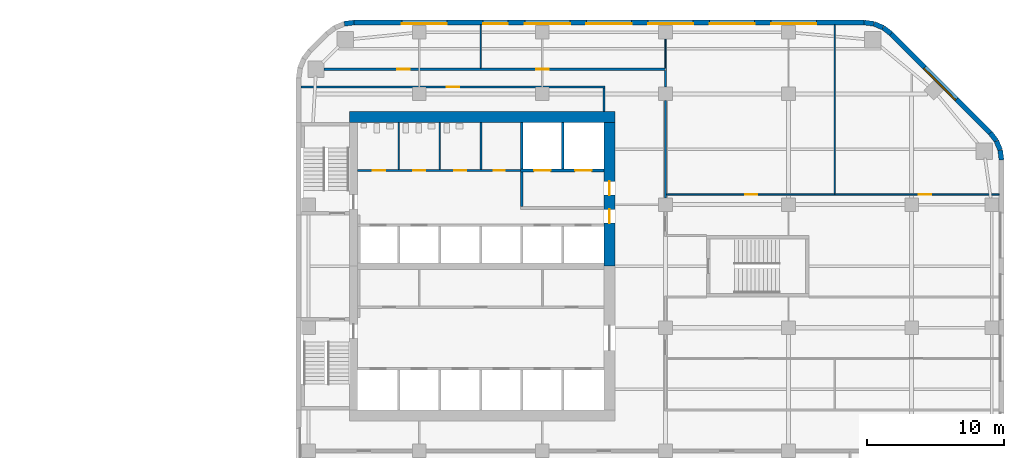
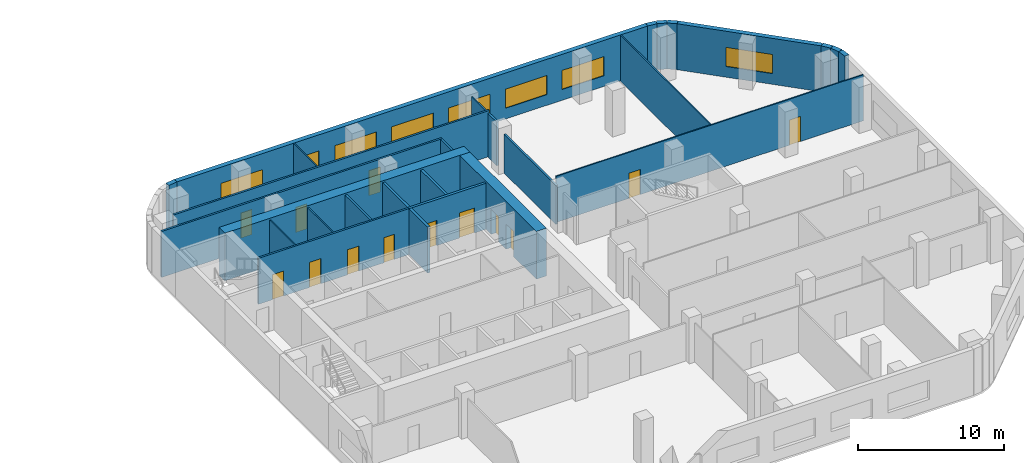
# One storey, part 10 of 14: 28 walls, 13 doors, 8 windows, 21 openings.
"""IFC4 building model written with IfcOpenShell, lengths in metres."""

from ifc_helpers import new_model, si_unit, direction, frame, frame_2d, origin, place, context, subcontext, project, spatial, rectangle, extrude, material, layer, layer_set, type_object, element, fill, save


model = new_model("IFC4")

# Units and contexts
model_context = context("Model", 3, precision=1e-05, world=origin(), true_north=direction((0.0, 1.0)))
body_context = subcontext(model_context, "Body", "Model", "MODEL_VIEW")
ifc_project = project(units=[si_unit("LENGTHUNIT", "METRE"), si_unit("AREAUNIT", "SQUARE_METRE"), si_unit("VOLUMEUNIT", "CUBIC_METRE"), si_unit("PLANEANGLEUNIT", "RADIAN"), si_unit("MASSUNIT", "GRAM", prefix="KILO")], contexts=[model_context])

# Site, building, storey
site_placement = place(None, origin())
site = spatial("IfcSite", under=ifc_project, at=site_placement, CompositionType="ELEMENT")
building_placement = place(site_placement, origin())
building = spatial("IfcBuilding", under=site, at=building_placement, Name="Cinnabar Reach Civic Tower", CompositionType="ELEMENT")
storey_placement = place(building_placement, frame((0.0, 0.0, 116.0)))
storey = spatial("IfcBuildingStorey", under=building, at=storey_placement, Name="L27", CompositionType="ELEMENT", Elevation=116.0)

# Walls
ifc_material_1 = material(Name="Facing brick with insulated backing", Category="masonry")
ifc_layer_1 = layer(ifc_material_1, 0.36)
ifc_layer_set_1 = layer_set([ifc_layer_1], Name="Brick corner wall")
wall_type_1 = type_object("IfcWallType", Name="Brick corner wall", PredefinedType="STANDARD", material=ifc_layer_set_1)
for number, where, z_axis, x_axis, name in (
    (1, (51.567, 39.2686, 0.0), (0.0, 0.0, 1.0), (-0.13055608231, 0.99144092581, 0.0), "Brick corner wall"),
    (2, (51.4681, 39.9973, 0.0), (0.0, 0.0, 1.0), (-0.382702709855, 0.923871547278, 0.0), "Brick corner wall"),
):
    element("IfcWall", number, at=place(storey_placement, frame(where, z_axis=z_axis, x_axis=x_axis)), inside=storey, type_object=wall_type_1, Name=name, PredefinedType="STANDARD", context=body_context, shape_type="SweptSolid", body=[
        extrude(rectangle(XDim=0.7131, YDim=0.36, at=frame_2d((0.3565, 0.0))), origin(), (0.0, 0.0, 1.0), 3.85),
    ])
for number, where, z_axis, x_axis, name in (
    (3, (51.184, 40.6755, 0.0), (0.0, 0.0, 1.0), (-0.608802368033, 0.793321924995, 0.0), "Brick corner wall"),
    (4, (43.4913, 48.4998, 0.0), (0.0, 0.0, 1.0), (-0.793321924995, 0.608802368033, 0.0), "Brick corner wall"),
):
    element("IfcWall", number, at=place(storey_placement, frame(where, z_axis=z_axis, x_axis=x_axis)), inside=storey, type_object=wall_type_1, Name=name, PredefinedType="STANDARD", context=body_context, shape_type="SweptSolid", body=[
        extrude(rectangle(XDim=0.7132, YDim=0.36, at=frame_2d((0.3566, 0.0))), origin(), (0.0, 0.0, 1.0), 3.85),
    ])
for number, where, z_axis, x_axis, name in (
    (5, (42.9061, 48.9452, 0.0), (0.0, 0.0, 1.0), (-0.923871547278, 0.382702709855, 0.0), "Brick corner wall"),
    (6, (42.2256, 49.2239, 0.0), (0.0, 0.0, 1.0), (-0.99144092581, 0.13055608231, 0.0), "Brick corner wall"),
    (7, (4.2314, 49.317, 0.0), (0.0, 0.0, 1.0), (-0.99144092581, -0.13055608231, 0.0), "Brick corner wall"),
):
    element("IfcWall", number, at=place(storey_placement, frame(where, z_axis=z_axis, x_axis=x_axis)), inside=storey, type_object=wall_type_1, Name=name, PredefinedType="STANDARD", context=body_context, shape_type="SweptSolid", body=[
        extrude(rectangle(XDim=0.7131, YDim=0.36, at=frame_2d((0.3565, 0.0))), origin(), (0.0, 0.0, 1.0), 3.85),
    ])

# Wall, opening, window
ifc_layer_2 = layer(ifc_material_1, 0.36)
ifc_layer_set_2 = layer_set([ifc_layer_2], Name="Brick pier and spandrel wall")
wall_type_2 = type_object("IfcWallType", Name="Brick pier and spandrel wall", PredefinedType="STANDARD", material=ifc_layer_set_2)
wall_1_placement = place(storey_placement, frame((50.744, 41.2514, 0.0), z_axis=(0.0, 0.0, 1.0), x_axis=(-0.707106781187, 0.707106781187, 0.0)))
wall_1 = element("IfcWall", 8, at=wall_1_placement, inside=storey, type_object=wall_type_2, Name="Brick facade wall", PredefinedType="STANDARD", context=body_context, shape_type="SweptSolid", body=[
    extrude(rectangle(XDim=10.2426, YDim=0.36, at=frame_2d((5.1213, 0.0))), origin(), (0.0, 0.0, 1.0), 3.85),
])
opening_1_placement = place(wall_1_placement, frame((3.4713, 0.0, 0.9)))
opening_1 = element("IfcOpeningElement", 9, at=opening_1_placement, cuts=wall_1, Name="Opening W1579", PredefinedType="OPENING", context=body_context, shape_type="SweptSolid", body=[
    extrude(rectangle(XDim=3.3, YDim=1.6, at=frame_2d((1.65, 0.8))), frame((0.0, 0.19, 0.0), z_axis=(0.0, -1.0, 0.0), x_axis=(1.0, 0.0, 0.0)), (0.0, 0.0, 1.0), 0.38),
])
ifc_material_2 = material(Name="Clear double glazing in aluminium frame", Category="aluminium")
window_type_1 = type_object("IfcWindowType", Name="Deep-set window A", PartitioningType="SINGLE_PANEL", PredefinedType="WINDOW", material=ifc_material_2)
window_1_placement = place(opening_1_placement, origin())
window_1 = element("IfcWindow", 10, at=window_1_placement, inside=storey, type_object=window_type_1, Name="Window northeast face", OverallHeight=1.6, OverallWidth=3.3, PartitioningType="SINGLE_PANEL", PredefinedType="WINDOW", context=body_context, shape_type="SweptSolid", body=[
    extrude(rectangle(XDim=3.3, YDim=1.6, at=frame_2d((1.65, 0.8))), frame((0.0, 0.13, 0.0), z_axis=(0.0, -1.0, 0.0), x_axis=(1.0, 0.0, 0.0)), (0.0, 0.0, 1.0), 0.06),
])
fill(opening_1, window_1)

# Wall, openings, windows
wall_2_placement = place(storey_placement, frame((41.5074, 49.32, 0.0), z_axis=(0.0, 0.0, 1.0), x_axis=(-1.0, 0.0, 0.0)))
wall_2 = element("IfcWall", 11, at=wall_2_placement, inside=storey, type_object=wall_type_2, Name="Brick facade wall", PredefinedType="STANDARD", context=body_context, shape_type="SweptSolid", body=[
    extrude(rectangle(XDim=37.2648, YDim=0.36, at=frame_2d((18.6324, 0.0))), origin(), (0.0, 0.0, 1.0), 3.85),
])
opening_2_placement = place(wall_2_placement, frame((3.4824, 0.0, 0.9)))
opening_2 = element("IfcOpeningElement", 12, at=opening_2_placement, cuts=wall_2, Name="Opening W1580", PredefinedType="OPENING", context=body_context, shape_type="SweptSolid", body=[
    extrude(rectangle(XDim=3.3, YDim=1.6, at=frame_2d((1.65, 0.8))), frame((0.0, 0.19, 0.0), z_axis=(0.0, -1.0, 0.0), x_axis=(1.0, 0.0, 0.0)), (0.0, 0.0, 1.0), 0.38),
])
opening_3_placement = place(wall_2_placement, frame((7.9824, 0.0, 0.9)))
opening_3 = element("IfcOpeningElement", 13, at=opening_3_placement, cuts=wall_2, Name="Opening W1581", PredefinedType="OPENING", context=body_context, shape_type="SweptSolid", body=[
    extrude(rectangle(XDim=3.3, YDim=1.6, at=frame_2d((1.65, 0.8))), frame((0.0, 0.19, 0.0), z_axis=(0.0, -1.0, 0.0), x_axis=(1.0, 0.0, 0.0)), (0.0, 0.0, 1.0), 0.38),
])
opening_4_placement = place(wall_2_placement, frame((12.4824, 0.0, 0.9)))
opening_4 = element("IfcOpeningElement", 14, at=opening_4_placement, cuts=wall_2, Name="Opening W1582", PredefinedType="OPENING", context=body_context, shape_type="SweptSolid", body=[
    extrude(rectangle(XDim=3.3, YDim=1.6, at=frame_2d((1.65, 0.8))), frame((0.0, 0.19, 0.0), z_axis=(0.0, -1.0, 0.0), x_axis=(1.0, 0.0, 0.0)), (0.0, 0.0, 1.0), 0.38),
])
opening_5_placement = place(wall_2_placement, frame((16.9824, 0.0, 0.9)))
opening_5 = element("IfcOpeningElement", 15, at=opening_5_placement, cuts=wall_2, Name="Opening W1583", PredefinedType="OPENING", context=body_context, shape_type="SweptSolid", body=[
    extrude(rectangle(XDim=3.3, YDim=1.6, at=frame_2d((1.65, 0.8))), frame((0.0, 0.19, 0.0), z_axis=(0.0, -1.0, 0.0), x_axis=(1.0, 0.0, 0.0)), (0.0, 0.0, 1.0), 0.38),
])
opening_6_placement = place(wall_2_placement, frame((21.4824, 0.0, 0.9)))
opening_6 = element("IfcOpeningElement", 16, at=opening_6_placement, cuts=wall_2, Name="Opening W1584", PredefinedType="OPENING", context=body_context, shape_type="SweptSolid", body=[
    extrude(rectangle(XDim=3.3, YDim=1.6, at=frame_2d((1.65, 0.8))), frame((0.0, 0.19, 0.0), z_axis=(0.0, -1.0, 0.0), x_axis=(1.0, 0.0, 0.0)), (0.0, 0.0, 1.0), 0.38),
])
opening_7_placement = place(wall_2_placement, frame((26.0324, 0.0, 0.9)))
opening_7 = element("IfcOpeningElement", 17, at=opening_7_placement, cuts=wall_2, Name="Opening W1585", PredefinedType="OPENING", context=body_context, shape_type="SweptSolid", body=[
    extrude(rectangle(XDim=1.8, YDim=1.6, at=frame_2d((0.9, 0.8))), frame((0.0, 0.19, 0.0), z_axis=(0.0, -1.0, 0.0), x_axis=(1.0, 0.0, 0.0)), (0.0, 0.0, 1.0), 0.38),
])
opening_8_placement = place(wall_2_placement, frame((30.4824, 0.0, 0.9)))
opening_8 = element("IfcOpeningElement", 18, at=opening_8_placement, cuts=wall_2, Name="Opening W1586", PredefinedType="OPENING", context=body_context, shape_type="SweptSolid", body=[
    extrude(rectangle(XDim=3.3, YDim=1.6, at=frame_2d((1.65, 0.8))), frame((0.0, 0.19, 0.0), z_axis=(0.0, -1.0, 0.0), x_axis=(1.0, 0.0, 0.0)), (0.0, 0.0, 1.0), 0.38),
])
window_2_placement = place(opening_2_placement, origin())
window_2 = element("IfcWindow", 19, at=window_2_placement, inside=storey, type_object=window_type_1, Name="Window north face", OverallHeight=1.6, OverallWidth=3.3, PartitioningType="SINGLE_PANEL", PredefinedType="WINDOW", context=body_context, shape_type="SweptSolid", body=[
    extrude(rectangle(XDim=3.3, YDim=1.6, at=frame_2d((1.65, 0.8))), frame((0.0, 0.13, 0.0), z_axis=(0.0, -1.0, 0.0), x_axis=(1.0, 0.0, 0.0)), (0.0, 0.0, 1.0), 0.06),
])
fill(opening_2, window_2)
window_3_placement = place(opening_3_placement, origin())
window_3 = element("IfcWindow", 20, at=window_3_placement, inside=storey, type_object=window_type_1, Name="Window north face", OverallHeight=1.6, OverallWidth=3.3, PartitioningType="SINGLE_PANEL", PredefinedType="WINDOW", context=body_context, shape_type="SweptSolid", body=[
    extrude(rectangle(XDim=3.3, YDim=1.6, at=frame_2d((1.65, 0.8))), frame((0.0, 0.13, 0.0), z_axis=(0.0, -1.0, 0.0), x_axis=(1.0, 0.0, 0.0)), (0.0, 0.0, 1.0), 0.06),
])
fill(opening_3, window_3)
window_4_placement = place(opening_4_placement, origin())
window_4 = element("IfcWindow", 21, at=window_4_placement, inside=storey, type_object=window_type_1, Name="Window north face", OverallHeight=1.6, OverallWidth=3.3, PartitioningType="SINGLE_PANEL", PredefinedType="WINDOW", context=body_context, shape_type="SweptSolid", body=[
    extrude(rectangle(XDim=3.3, YDim=1.6, at=frame_2d((1.65, 0.8))), frame((0.0, 0.13, 0.0), z_axis=(0.0, -1.0, 0.0), x_axis=(1.0, 0.0, 0.0)), (0.0, 0.0, 1.0), 0.06),
])
fill(opening_4, window_4)
window_5_placement = place(opening_5_placement, origin())
window_5 = element("IfcWindow", 22, at=window_5_placement, inside=storey, type_object=window_type_1, Name="Window north face", OverallHeight=1.6, OverallWidth=3.3, PartitioningType="SINGLE_PANEL", PredefinedType="WINDOW", context=body_context, shape_type="SweptSolid", body=[
    extrude(rectangle(XDim=3.3, YDim=1.6, at=frame_2d((1.65, 0.8))), frame((0.0, 0.13, 0.0), z_axis=(0.0, -1.0, 0.0), x_axis=(1.0, 0.0, 0.0)), (0.0, 0.0, 1.0), 0.06),
])
fill(opening_5, window_5)
window_6_placement = place(opening_6_placement, origin())
window_6 = element("IfcWindow", 23, at=window_6_placement, inside=storey, type_object=window_type_1, Name="Window north face", OverallHeight=1.6, OverallWidth=3.3, PartitioningType="SINGLE_PANEL", PredefinedType="WINDOW", context=body_context, shape_type="SweptSolid", body=[
    extrude(rectangle(XDim=3.3, YDim=1.6, at=frame_2d((1.65, 0.8))), frame((0.0, 0.13, 0.0), z_axis=(0.0, -1.0, 0.0), x_axis=(1.0, 0.0, 0.0)), (0.0, 0.0, 1.0), 0.06),
])
fill(opening_6, window_6)
window_7_placement = place(opening_8_placement, origin())
window_7 = element("IfcWindow", 24, at=window_7_placement, inside=storey, type_object=window_type_1, Name="Window north face", OverallHeight=1.6, OverallWidth=3.3, PartitioningType="SINGLE_PANEL", PredefinedType="WINDOW", context=body_context, shape_type="SweptSolid", body=[
    extrude(rectangle(XDim=3.3, YDim=1.6, at=frame_2d((1.65, 0.8))), frame((0.0, 0.13, 0.0), z_axis=(0.0, -1.0, 0.0), x_axis=(1.0, 0.0, 0.0)), (0.0, 0.0, 1.0), 0.06),
])
fill(opening_8, window_7)
window_type_2 = type_object("IfcWindowType", Name="Deep-set window D", PartitioningType="SINGLE_PANEL", PredefinedType="WINDOW", material=ifc_material_2)
window_8_placement = place(opening_7_placement, origin())
window_8 = element("IfcWindow", 25, at=window_8_placement, inside=storey, type_object=window_type_2, Name="Window north face", OverallHeight=1.6, OverallWidth=1.8, PartitioningType="SINGLE_PANEL", PredefinedType="WINDOW", context=body_context, shape_type="SweptSolid", body=[
    extrude(rectangle(XDim=1.8, YDim=1.6, at=frame_2d((0.9, 0.8))), frame((0.0, 0.13, 0.0), z_axis=(0.0, -1.0, 0.0), x_axis=(1.0, 0.0, 0.0)), (0.0, 0.0, 1.0), 0.06),
])
fill(opening_7, window_8)

# Wall
ifc_material_3 = material(Name="Concrete C70", Category="concrete")
ifc_layer_3 = layer(ifc_material_3, 0.8)
ifc_layer_set_3 = layer_set([ifc_layer_3], Name="Core wall 800 EI 180")
wall_type_3 = type_object("IfcWallType", Name="Core wall 800 EI 180", PredefinedType="SOLIDWALL", material=ifc_layer_set_3)
wall_3_placement = place(storey_placement, frame((23.3, 42.4, 0.0), z_axis=(0.0, 0.0, 1.0), x_axis=(-1.0, 0.0, 0.0)))
element("IfcWall", 26, at=wall_3_placement, inside=storey, type_object=wall_type_3, Name="Core wall T1 L27 N", PredefinedType="SOLIDWALL", context=body_context, shape_type="SweptSolid", body=[
    extrude(rectangle(XDim=19.4, YDim=0.8, at=frame_2d((9.7, 0.0))), origin(), (0.0, 0.0, 1.0), 4.0),
])

# Wall, openings, doors
wall_4_placement = place(storey_placement, frame((22.9, 31.5, 0.0), z_axis=(0.0, 0.0, 1.0), x_axis=(0.0, 1.0, 0.0)))
wall_4 = element("IfcWall", 27, at=wall_4_placement, inside=storey, type_object=wall_type_3, Name="Core wall T1 L27 E2", PredefinedType="SOLIDWALL", context=body_context, shape_type="SweptSolid", body=[
    extrude(rectangle(XDim=10.5, YDim=0.8, at=frame_2d((5.25, 0.0))), origin(), (0.0, 0.0, 1.0), 4.0),
])
opening_9_placement = place(wall_4_placement, frame((3.15, 0.0, 0.0)))
opening_9 = element("IfcOpeningElement", 28, at=opening_9_placement, cuts=wall_4, Name="Opening D4102", PredefinedType="OPENING", context=body_context, shape_type="SweptSolid", body=[
    extrude(rectangle(XDim=1.0, YDim=2.1, at=frame_2d((0.5, 1.05))), frame((0.0, 0.41, 0.0), z_axis=(0.0, -1.0, 0.0), x_axis=(1.0, 0.0, 0.0)), (0.0, 0.0, 1.0), 0.82),
])
opening_10_placement = place(wall_4_placement, frame((5.2, 0.0, 0.0)))
opening_10 = element("IfcOpeningElement", 29, at=opening_10_placement, cuts=wall_4, Name="Opening D4103", PredefinedType="OPENING", context=body_context, shape_type="SweptSolid", body=[
    extrude(rectangle(XDim=1.0, YDim=2.1, at=frame_2d((0.5, 1.05))), frame((0.0, 0.41, 0.0), z_axis=(0.0, -1.0, 0.0), x_axis=(1.0, 0.0, 0.0)), (0.0, 0.0, 1.0), 0.82),
])
ifc_material_4 = material(Name="Timber door leaf in steel frame", Category="steel")
door_type_1 = type_object("IfcDoorType", Name="Firefighting lobby door 1000 x 2100 T1", OperationType="SINGLE_SWING_LEFT", PredefinedType="DOOR", material=ifc_material_4)
door_1_placement = place(opening_10_placement, origin())
door_1 = element("IfcDoor", 30, at=door_1_placement, inside=storey, type_object=door_type_1, Name="Door D4103", OperationType="SINGLE_SWING_RIGHT", OverallHeight=2.1, OverallWidth=1.0, PredefinedType="DOOR", context=body_context, shape_type="SweptSolid", body=[
    extrude(rectangle(XDim=1.0, YDim=2.1, at=frame_2d((0.5, 1.05))), frame((0.0, 0.025, 0.0), z_axis=(0.0, -1.0, 0.0), x_axis=(1.0, 0.0, 0.0)), (0.0, 0.0, 1.0), 0.05),
])
fill(opening_10, door_1)
door_type_2 = type_object("IfcDoorType", Name="Single swing door 1000 x 2100 T1", OperationType="SINGLE_SWING_LEFT", PredefinedType="DOOR", material=ifc_material_4)
door_2_placement = place(opening_9_placement, origin())
door_2 = element("IfcDoor", 31, at=door_2_placement, inside=storey, type_object=door_type_2, Name="Door D4102", OperationType="SINGLE_SWING_RIGHT", OverallHeight=2.1, OverallWidth=1.0, PredefinedType="DOOR", context=body_context, shape_type="SweptSolid", body=[
    extrude(rectangle(XDim=1.0, YDim=2.1, at=frame_2d((0.5, 1.05))), frame((0.0, 0.025, 0.0), z_axis=(0.0, -1.0, 0.0), x_axis=(1.0, 0.0, 0.0)), (0.0, 0.0, 1.0), 0.05),
])
fill(opening_9, door_2)

ifc_material_5 = material(Name="Gypsum board on steel studs, double layer", Category="steel")
ifc_layer_4 = layer(ifc_material_5, 0.15)
ifc_layer_set_4 = layer_set([ifc_layer_4], Name="Corridor wall 150 T1")
wall_type_4 = type_object("IfcWallType", Name="Corridor wall 150 T1", PredefinedType="PARTITIONING", material=ifc_layer_set_4)
wall_5_placement = place(storey_placement, frame((2.0531, 45.9, 0.0), z_axis=(0.0, 0.0, 1.0), x_axis=(1.0, 0.0, 0.0)))
wall_5 = element("IfcWall", 32, at=wall_5_placement, inside=storey, type_object=wall_type_4, Name="Corridor wall 25", PredefinedType="PARTITIONING", context=body_context, shape_type="SweptSolid", body=[
    extrude(rectangle(XDim=25.0219, YDim=0.15, at=frame_2d((12.5109, 0.0))), origin(), (0.0, 0.0, 1.0), 3.85),
])
opening_11_placement = place(wall_5_placement, frame((5.35, 0.0, 0.0)))
opening_11 = element("IfcOpeningElement", 33, at=opening_11_placement, cuts=wall_5, Name="Opening D4124", PredefinedType="OPENING", context=body_context, shape_type="SweptSolid", body=[
    extrude(rectangle(XDim=0.9, YDim=2.1, at=frame_2d((0.45, 1.05))), frame((0.0, 0.085, 0.0), z_axis=(0.0, -1.0, 0.0), x_axis=(1.0, 0.0, 0.0)), (0.0, 0.0, 1.0), 0.17),
])
opening_12_placement = place(wall_5_placement, frame((15.4969, 0.0, 0.0)))
opening_12 = element("IfcOpeningElement", 34, at=opening_12_placement, cuts=wall_5, Name="Opening D4125", PredefinedType="OPENING", context=body_context, shape_type="SweptSolid", body=[
    extrude(rectangle(XDim=0.9, YDim=2.1, at=frame_2d((0.45, 1.05))), frame((0.0, 0.085, 0.0), z_axis=(0.0, -1.0, 0.0), x_axis=(1.0, 0.0, 0.0)), (0.0, 0.0, 1.0), 0.17),
])
door_type_3 = type_object("IfcDoorType", Name="Single swing door 900 x 2100 corridor T1", OperationType="SINGLE_SWING_LEFT", PredefinedType="DOOR", material=ifc_material_4)
door_3_placement = place(opening_11_placement, origin())
door_3 = element("IfcDoor", 35, at=door_3_placement, inside=storey, type_object=door_type_3, Name="Door D4124", OperationType="SINGLE_SWING_LEFT", OverallHeight=2.1, OverallWidth=0.9, PredefinedType="DOOR", context=body_context, shape_type="SweptSolid", body=[
    extrude(rectangle(XDim=0.9, YDim=2.1, at=frame_2d((0.45, 1.05))), frame((0.0, 0.025, 0.0), z_axis=(0.0, -1.0, 0.0), x_axis=(1.0, 0.0, 0.0)), (0.0, 0.0, 1.0), 0.05),
])
fill(opening_11, door_3)
door_4_placement = place(opening_12_placement, origin())
door_4 = element("IfcDoor", 36, at=door_4_placement, inside=storey, type_object=door_type_3, Name="Door D4125", OperationType="SINGLE_SWING_RIGHT", OverallHeight=2.1, OverallWidth=0.9, PredefinedType="DOOR", context=body_context, shape_type="SweptSolid", body=[
    extrude(rectangle(XDim=0.9, YDim=2.1, at=frame_2d((0.45, 1.05))), frame((0.0, 0.025, 0.0), z_axis=(0.0, -1.0, 0.0), x_axis=(1.0, 0.0, 0.0)), (0.0, 0.0, 1.0), 0.05),
])
fill(opening_12, door_4)

# Wall, opening, door
wall_6_placement = place(storey_placement, frame((0.36, 44.6, 0.0), z_axis=(0.0, 0.0, 1.0), x_axis=(1.0, 0.0, 0.0)))
wall_6 = element("IfcWall", 37, at=wall_6_placement, inside=storey, type_object=wall_type_4, Name="Corridor wall 27", PredefinedType="PARTITIONING", context=body_context, shape_type="SweptSolid", body=[
    extrude(rectangle(XDim=22.215, YDim=0.15, at=frame_2d((11.1075, 0.0))), origin(), (0.0, 0.0, 1.0), 3.85),
])
opening_13_placement = place(wall_6_placement, frame((10.65, 0.0, 0.0)))
opening_13 = element("IfcOpeningElement", 38, at=opening_13_placement, cuts=wall_6, Name="Opening D5788", PredefinedType="OPENING", context=body_context, shape_type="SweptSolid", body=[
    extrude(rectangle(XDim=0.9, YDim=2.1, at=frame_2d((0.45, 1.05))), frame((0.0, 0.085, 0.0), z_axis=(0.0, -1.0, 0.0), x_axis=(1.0, 0.0, 0.0)), (0.0, 0.0, 1.0), 0.17),
])
door_5_placement = place(opening_13_placement, frame((0.9, 0.0, 0.0), z_axis=(0.0, 0.0, 1.0), x_axis=(-1.0, 0.0, 0.0)))
door_5 = element("IfcDoor", 39, at=door_5_placement, inside=storey, type_object=door_type_3, Name="Door D5788", OperationType="SINGLE_SWING_LEFT", OverallHeight=2.1, OverallWidth=0.9, PredefinedType="DOOR", context=body_context, shape_type="SweptSolid", body=[
    extrude(rectangle(XDim=0.9, YDim=2.1, at=frame_2d((0.45, 1.05))), frame((0.0, 0.025, 0.0), z_axis=(0.0, -1.0, 0.0), x_axis=(1.0, 0.0, 0.0)), (0.0, 0.0, 1.0), 0.05),
])
fill(opening_13, door_5)

# Walls
wall_7_placement = place(storey_placement, frame((27.0, 36.5, 0.0), z_axis=(0.0, 0.0, 1.0), x_axis=(0.0, 1.0, 0.0)))
element("IfcWall", 40, at=wall_7_placement, inside=storey, type_object=wall_type_4, Name="Corridor wall 30", PredefinedType="PARTITIONING", context=body_context, shape_type="SweptSolid", body=[
    extrude(rectangle(XDim=7.1, YDim=0.15, at=frame_2d((3.55, 0.0))), origin(), (0.0, 0.0, 1.0), 3.256),
])
wall_8_placement = place(storey_placement, frame((27.0, 44.6, 0.0), z_axis=(0.0, 0.0, 1.0), x_axis=(0.0, 1.0, 0.0)))
element("IfcWall", 41, at=wall_8_placement, inside=storey, type_object=wall_type_4, Name="Corridor wall 31", PredefinedType="PARTITIONING", context=body_context, shape_type="SweptSolid", body=[
    extrude(rectangle(XDim=1.225, YDim=0.15, at=frame_2d((0.6125, 0.0))), origin(), (0.0, 0.0, 1.0), 3.652),
])

# Wall, openings, doors
wall_9_placement = place(storey_placement, frame((4.5, 38.5, 0.0), z_axis=(0.0, 0.0, 1.0), x_axis=(1.0, 0.0, 0.0)))
wall_9 = element("IfcWall", 42, at=wall_9_placement, inside=storey, type_object=wall_type_4, Name="Corridor wall 32", PredefinedType="PARTITIONING", context=body_context, shape_type="SweptSolid", body=[
    extrude(rectangle(XDim=11.9, YDim=0.15, at=frame_2d((5.95, 0.0))), origin(), (0.0, 0.0, 1.0), 3.85),
])
opening_14_placement = place(wall_9_placement, frame((1.1, 0.0, 0.0)))
opening_14 = element("IfcOpeningElement", 43, at=opening_14_placement, cuts=wall_9, Name="Opening D4108", PredefinedType="OPENING", context=body_context, shape_type="SweptSolid", body=[
    extrude(rectangle(XDim=0.9, YDim=2.1, at=frame_2d((0.45, 1.05))), frame((0.0, 0.085, 0.0), z_axis=(0.0, -1.0, 0.0), x_axis=(1.0, 0.0, 0.0)), (0.0, 0.0, 1.0), 0.17),
])
opening_15_placement = place(wall_9_placement, frame((4.05, 0.0, 0.0)))
opening_15 = element("IfcOpeningElement", 44, at=opening_15_placement, cuts=wall_9, Name="Opening D4109", PredefinedType="OPENING", context=body_context, shape_type="SweptSolid", body=[
    extrude(rectangle(XDim=0.9, YDim=2.1, at=frame_2d((0.45, 1.05))), frame((0.0, 0.085, 0.0), z_axis=(0.0, -1.0, 0.0), x_axis=(1.0, 0.0, 0.0)), (0.0, 0.0, 1.0), 0.17),
])
opening_16_placement = place(wall_9_placement, frame((7.05, 0.0, 0.0)))
opening_16 = element("IfcOpeningElement", 45, at=opening_16_placement, cuts=wall_9, Name="Opening D4110", PredefinedType="OPENING", context=body_context, shape_type="SweptSolid", body=[
    extrude(rectangle(XDim=0.9, YDim=2.1, at=frame_2d((0.45, 1.05))), frame((0.0, 0.085, 0.0), z_axis=(0.0, -1.0, 0.0), x_axis=(1.0, 0.0, 0.0)), (0.0, 0.0, 1.0), 0.17),
])
opening_17_placement = place(wall_9_placement, frame((9.95, 0.0, 0.0)))
opening_17 = element("IfcOpeningElement", 46, at=opening_17_placement, cuts=wall_9, Name="Opening D4111", PredefinedType="OPENING", context=body_context, shape_type="SweptSolid", body=[
    extrude(rectangle(XDim=0.8, YDim=2.1, at=frame_2d((0.4, 1.05))), frame((0.0, 0.085, 0.0), z_axis=(0.0, -1.0, 0.0), x_axis=(1.0, 0.0, 0.0)), (0.0, 0.0, 1.0), 0.17),
])
door_type_4 = type_object("IfcDoorType", Name="Riser access door 800 x 2100 T1", OperationType="SINGLE_SWING_LEFT", PredefinedType="DOOR", material=ifc_material_4)
door_6_placement = place(opening_17_placement, origin())
door_6 = element("IfcDoor", 47, at=door_6_placement, inside=storey, type_object=door_type_4, Name="Door D4111", OperationType="SINGLE_SWING_RIGHT", OverallHeight=2.1, OverallWidth=0.8, PredefinedType="DOOR", context=body_context, shape_type="SweptSolid", body=[
    extrude(rectangle(XDim=0.8, YDim=2.1, at=frame_2d((0.4, 1.05))), frame((0.0, 0.025, 0.0), z_axis=(0.0, -1.0, 0.0), x_axis=(1.0, 0.0, 0.0)), (0.0, 0.0, 1.0), 0.05),
])
fill(opening_17, door_6)
door_7_placement = place(opening_14_placement, origin())
door_7 = element("IfcDoor", 48, at=door_7_placement, inside=storey, type_object=door_type_3, Name="Door D4108", OperationType="SINGLE_SWING_RIGHT", OverallHeight=2.1, OverallWidth=0.9, PredefinedType="DOOR", context=body_context, shape_type="SweptSolid", body=[
    extrude(rectangle(XDim=0.9, YDim=2.1, at=frame_2d((0.45, 1.05))), frame((0.0, 0.025, 0.0), z_axis=(0.0, -1.0, 0.0), x_axis=(1.0, 0.0, 0.0)), (0.0, 0.0, 1.0), 0.05),
])
fill(opening_14, door_7)
door_8_placement = place(opening_15_placement, origin())
door_8 = element("IfcDoor", 49, at=door_8_placement, inside=storey, type_object=door_type_3, Name="Door D4109", OperationType="SINGLE_SWING_RIGHT", OverallHeight=2.1, OverallWidth=0.9, PredefinedType="DOOR", context=body_context, shape_type="SweptSolid", body=[
    extrude(rectangle(XDim=0.9, YDim=2.1, at=frame_2d((0.45, 1.05))), frame((0.0, 0.025, 0.0), z_axis=(0.0, -1.0, 0.0), x_axis=(1.0, 0.0, 0.0)), (0.0, 0.0, 1.0), 0.05),
])
fill(opening_15, door_8)
door_9_placement = place(opening_16_placement, origin())
door_9 = element("IfcDoor", 50, at=door_9_placement, inside=storey, type_object=door_type_3, Name="Door D4110", OperationType="SINGLE_SWING_RIGHT", OverallHeight=2.1, OverallWidth=0.9, PredefinedType="DOOR", context=body_context, shape_type="SweptSolid", body=[
    extrude(rectangle(XDim=0.9, YDim=2.1, at=frame_2d((0.45, 1.05))), frame((0.0, 0.025, 0.0), z_axis=(0.0, -1.0, 0.0), x_axis=(1.0, 0.0, 0.0)), (0.0, 0.0, 1.0), 0.05),
])
fill(opening_16, door_9)

# Walls
wall_10_placement = place(storey_placement, frame((22.5, 42.8, 0.0), z_axis=(0.0, 0.0, 1.0), x_axis=(0.0, 1.0, 0.0)))
element("IfcWall", 51, at=wall_10_placement, inside=storey, type_object=wall_type_4, Name="Corridor wall 39", PredefinedType="PARTITIONING", context=body_context, shape_type="SweptSolid", body=[
    extrude(rectangle(XDim=1.725, YDim=0.15, at=frame_2d((0.8625, 0.0))), origin(), (0.0, 0.0, 1.0), 3.85),
])
ifc_material_6 = material(Name="Blockwork", Category="masonry")
ifc_layer_5 = layer(ifc_material_6, 0.2)
ifc_layer_set_5 = layer_set([ifc_layer_5], Name="Lift shaft wall 200 T1")
wall_type_5 = type_object("IfcWallType", Name="Lift shaft wall 200 T1", PredefinedType="PARTITIONING", material=ifc_layer_set_5)
for number, where, z_axis, x_axis, name in (
    (52, (16.5, 38.6, 0.0), (0.0, 0.0, 1.0), (0.0, 1.0, 0.0), "Lift shaft wall 6"),
    (53, (19.5, 38.6, 0.0), (0.0, 0.0, 1.0), (0.0, 1.0, 0.0), "Lift shaft wall 7"),
):
    element("IfcWall", number, at=place(storey_placement, frame(where, z_axis=z_axis, x_axis=x_axis)), inside=storey, type_object=wall_type_5, Name=name, PredefinedType="PARTITIONING", context=body_context, shape_type="SweptSolid", body=[
        extrude(rectangle(XDim=3.4, YDim=0.2, at=frame_2d((1.7, 0.0))), origin(), (0.0, 0.0, 1.0), 3.85),
    ])

# Wall, openings, doors
ifc_material_7 = material(Name="Gypsum board on steel studs", Category="steel")
ifc_layer_6 = layer(ifc_material_7, 0.1)
ifc_layer_set_6 = layer_set([ifc_layer_6], Name="Partition wall 100 T1")
wall_type_6 = type_object("IfcWallType", Name="Partition wall 100 T1", PredefinedType="PARTITIONING", material=ifc_layer_set_6)
wall_11_placement = place(storey_placement, frame((27.075, 36.75, 0.0), z_axis=(0.0, 0.0, 1.0), x_axis=(1.0, 0.0, 0.0)))
wall_11 = element("IfcWall", 54, at=wall_11_placement, inside=storey, type_object=wall_type_6, Name="Partition wall 44", PredefinedType="PARTITIONING", context=body_context, shape_type="SweptSolid", body=[
    extrude(rectangle(XDim=24.315, YDim=0.1, at=frame_2d((12.1575, 0.0))), origin(), (0.0, 0.0, 1.0), 3.85),
])
opening_18_placement = place(wall_11_placement, frame((5.75, 0.0, 0.0)))
opening_18 = element("IfcOpeningElement", 55, at=opening_18_placement, cuts=wall_11, Name="Opening D4113", PredefinedType="OPENING", context=body_context, shape_type="SweptSolid", body=[
    extrude(rectangle(XDim=0.9, YDim=2.1, at=frame_2d((0.45, 1.05))), frame((0.0, 0.06, 0.0), z_axis=(0.0, -1.0, 0.0), x_axis=(1.0, 0.0, 0.0)), (0.0, 0.0, 1.0), 0.12),
])
opening_19_placement = place(wall_11_placement, frame((18.45, 0.0, 0.0)))
opening_19 = element("IfcOpeningElement", 56, at=opening_19_placement, cuts=wall_11, Name="Opening D4114", PredefinedType="OPENING", context=body_context, shape_type="SweptSolid", body=[
    extrude(rectangle(XDim=0.9, YDim=2.1, at=frame_2d((0.45, 1.05))), frame((0.0, 0.06, 0.0), z_axis=(0.0, -1.0, 0.0), x_axis=(1.0, 0.0, 0.0)), (0.0, 0.0, 1.0), 0.12),
])
door_type_5 = type_object("IfcDoorType", Name="Single swing door 900 x 2100 T1", OperationType="SINGLE_SWING_LEFT", PredefinedType="DOOR", material=ifc_material_4)
door_10_placement = place(opening_18_placement, frame((0.9, 0.0, 0.0), z_axis=(0.0, 0.0, 1.0), x_axis=(-1.0, 0.0, 0.0)))
door_10 = element("IfcDoor", 57, at=door_10_placement, inside=storey, type_object=door_type_5, Name="Door D4113", OperationType="SINGLE_SWING_LEFT", OverallHeight=2.1, OverallWidth=0.9, PredefinedType="DOOR", context=body_context, shape_type="SweptSolid", body=[
    extrude(rectangle(XDim=0.9, YDim=2.1, at=frame_2d((0.45, 1.05))), frame((0.0, 0.025, 0.0), z_axis=(0.0, -1.0, 0.0), x_axis=(1.0, 0.0, 0.0)), (0.0, 0.0, 1.0), 0.05),
])
fill(opening_18, door_10)
door_11_placement = place(opening_19_placement, origin())
door_11 = element("IfcDoor", 58, at=door_11_placement, inside=storey, type_object=door_type_5, Name="Door D4114", OperationType="SINGLE_SWING_LEFT", OverallHeight=2.1, OverallWidth=0.9, PredefinedType="DOOR", context=body_context, shape_type="SweptSolid", body=[
    extrude(rectangle(XDim=0.9, YDim=2.1, at=frame_2d((0.45, 1.05))), frame((0.0, 0.025, 0.0), z_axis=(0.0, -1.0, 0.0), x_axis=(1.0, 0.0, 0.0)), (0.0, 0.0, 1.0), 0.05),
])
fill(opening_19, door_11)

# Walls
wall_12_placement = place(storey_placement, frame((39.375, 36.8, 0.0), z_axis=(0.0, 0.0, 1.0), x_axis=(0.0, 1.0, 0.0)))
element("IfcWall", 59, at=wall_12_placement, inside=storey, type_object=wall_type_6, Name="Partition wall 53", PredefinedType="PARTITIONING", context=body_context, shape_type="SweptSolid", body=[
    extrude(rectangle(XDim=12.34, YDim=0.1, at=frame_2d((6.17, 0.0))), origin(), (0.0, 0.0, 1.0), 3.85),
])
for number, where, z_axis, x_axis, name in (
    (60, (7.5, 38.575, 0.0), (0.0, 0.0, 1.0), (0.0, 1.0, 0.0), "Partition wall 56"),
    (61, (10.5, 38.575, 0.0), (0.0, 0.0, 1.0), (0.0, 1.0, 0.0), "Partition wall 57"),
):
    element("IfcWall", number, at=place(storey_placement, frame(where, z_axis=z_axis, x_axis=x_axis)), inside=storey, type_object=wall_type_6, Name=name, PredefinedType="PARTITIONING", context=body_context, shape_type="SweptSolid", body=[
        extrude(rectangle(XDim=3.425, YDim=0.1, at=frame_2d((1.7125, 0.0))), origin(), (0.0, 0.0, 1.0), 3.85),
    ])
wall_13_placement = place(storey_placement, frame((13.5, 45.975, 0.0), z_axis=(0.0, 0.0, 1.0), x_axis=(0.0, 1.0, 0.0)))
element("IfcWall", 62, at=wall_13_placement, inside=storey, type_object=wall_type_6, Name="Partition wall 58", PredefinedType="PARTITIONING", context=body_context, shape_type="SweptSolid", body=[
    extrude(rectangle(XDim=3.165, YDim=0.1, at=frame_2d((1.5825, 0.0))), origin(), (0.0, 0.0, 1.0), 3.85),
])
wall_14_placement = place(storey_placement, frame((27.0, 45.975, 0.0), z_axis=(0.0, 0.0, 1.0), x_axis=(0.0, 1.0, 0.0)))
element("IfcWall", 63, at=wall_14_placement, inside=storey, type_object=wall_type_6, Name="Partition wall 59", PredefinedType="PARTITIONING", context=body_context, shape_type="SweptSolid", body=[
    extrude(rectangle(XDim=2.125, YDim=0.1, at=frame_2d((1.0625, 0.0))), origin(), (0.0, 0.0, 1.0), 3.652),
])

# Wall, openings, doors
ifc_material_8 = material(Name="Concrete C40", Category="concrete")
ifc_layer_7 = layer(ifc_material_8, 0.2)
ifc_layer_set_7 = layer_set([ifc_layer_7], Name="Refuge compartment wall 200 T1")
wall_type_7 = type_object("IfcWallType", Name="Refuge compartment wall 200 T1", PredefinedType="PARTITIONING", material=ifc_layer_set_7)
wall_15_placement = place(storey_placement, frame((16.4, 38.5, 0.0), z_axis=(0.0, 0.0, 1.0), x_axis=(1.0, 0.0, 0.0)))
wall_15 = element("IfcWall", 64, at=wall_15_placement, inside=storey, type_object=wall_type_7, Name="Refuge compartment wall 2", PredefinedType="PARTITIONING", context=body_context, shape_type="SweptSolid", body=[
    extrude(rectangle(XDim=6.1, YDim=0.2, at=frame_2d((3.05, 0.0))), origin(), (0.0, 0.0, 1.0), 3.85),
])
opening_20_placement = place(wall_15_placement, frame((1.0, 0.0, 0.0)))
opening_20 = element("IfcOpeningElement", 65, at=opening_20_placement, cuts=wall_15, Name="Opening D4099", PredefinedType="OPENING", context=body_context, shape_type="SweptSolid", body=[
    extrude(rectangle(XDim=1.2, YDim=2.1, at=frame_2d((0.6, 1.05))), frame((0.0, 0.11, 0.0), z_axis=(0.0, -1.0, 0.0), x_axis=(1.0, 0.0, 0.0)), (0.0, 0.0, 1.0), 0.22),
])
opening_21_placement = place(wall_15_placement, frame((4.0, 0.0, 0.0)))
opening_21 = element("IfcOpeningElement", 66, at=opening_21_placement, cuts=wall_15, Name="Opening D4100", PredefinedType="OPENING", context=body_context, shape_type="SweptSolid", body=[
    extrude(rectangle(XDim=1.2, YDim=2.1, at=frame_2d((0.6, 1.05))), frame((0.0, 0.11, 0.0), z_axis=(0.0, -1.0, 0.0), x_axis=(1.0, 0.0, 0.0)), (0.0, 0.0, 1.0), 0.22),
])
ifc_material_9 = material(Name="Stainless steel sliding door", Category="steel")
door_type_6 = type_object("IfcDoorType", Name="Firefighting lift landing door 1200 x 2100 T1", OperationType="SLIDING_TO_LEFT", PredefinedType="DOOR", material=ifc_material_9)
door_12_placement = place(opening_20_placement, origin())
door_12 = element("IfcDoor", 67, at=door_12_placement, inside=storey, type_object=door_type_6, Name="Lift landing door FF1 L27", OperationType="SLIDING_TO_LEFT", OverallHeight=2.1, OverallWidth=1.2, PredefinedType="DOOR", context=body_context, shape_type="SweptSolid", body=[
    extrude(rectangle(XDim=1.2, YDim=2.1, at=frame_2d((0.6, 1.05))), frame((0.0, 0.025, 0.0), z_axis=(0.0, -1.0, 0.0), x_axis=(1.0, 0.0, 0.0)), (0.0, 0.0, 1.0), 0.05),
])
fill(opening_20, door_12)
door_13_placement = place(opening_21_placement, origin())
door_13 = element("IfcDoor", 68, at=door_13_placement, inside=storey, type_object=door_type_6, Name="Lift landing door FF2 L27", OperationType="SLIDING_TO_LEFT", OverallHeight=2.1, OverallWidth=1.2, PredefinedType="DOOR", context=body_context, shape_type="SweptSolid", body=[
    extrude(rectangle(XDim=1.2, YDim=2.1, at=frame_2d((0.6, 1.05))), frame((0.0, 0.025, 0.0), z_axis=(0.0, -1.0, 0.0), x_axis=(1.0, 0.0, 0.0)), (0.0, 0.0, 1.0), 0.05),
])
fill(opening_21, door_13)

# Walls
wall_16_placement = place(storey_placement, frame((16.5, 35.85, 0.0), z_axis=(0.0, 0.0, 1.0), x_axis=(0.0, 1.0, 0.0)))
element("IfcWall", 69, at=wall_16_placement, inside=storey, type_object=wall_type_7, Name="Refuge compartment wall 3", PredefinedType="PARTITIONING", context=body_context, shape_type="SweptSolid", body=[
    extrude(rectangle(XDim=2.55, YDim=0.2, at=frame_2d((1.275, 0.0))), origin(), (0.0, 0.0, 1.0), 3.85),
])
ifc_layer_8 = layer(ifc_material_6, 0.15)
ifc_layer_set_8 = layer_set([ifc_layer_8], Name="Riser wall 150 T1")
wall_type_8 = type_object("IfcWallType", Name="Riser wall 150 T1", PredefinedType="PARTITIONING", material=ifc_layer_set_8)
wall_17_placement = place(storey_placement, frame((13.5, 38.575, 0.0), z_axis=(0.0, 0.0, 1.0), x_axis=(0.0, 1.0, 0.0)))
element("IfcWall", 70, at=wall_17_placement, inside=storey, type_object=wall_type_8, Name="Riser wall 41", PredefinedType="PARTITIONING", context=body_context, shape_type="SweptSolid", body=[
    extrude(rectangle(XDim=3.425, YDim=0.15, at=frame_2d((1.7125, 0.0))), origin(), (0.0, 0.0, 1.0), 3.85),
])

save(model, "model.ifc")
